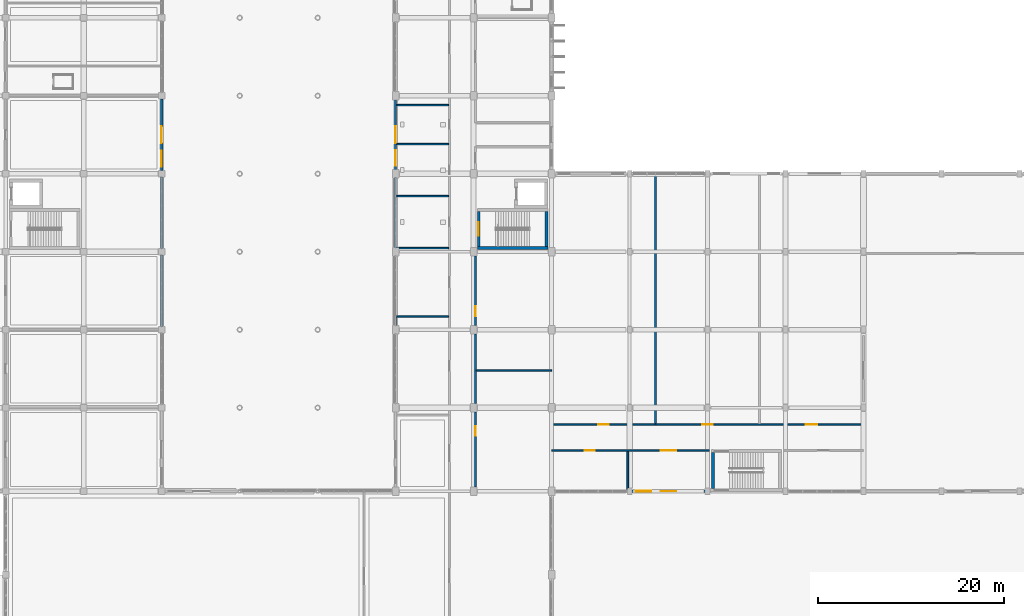
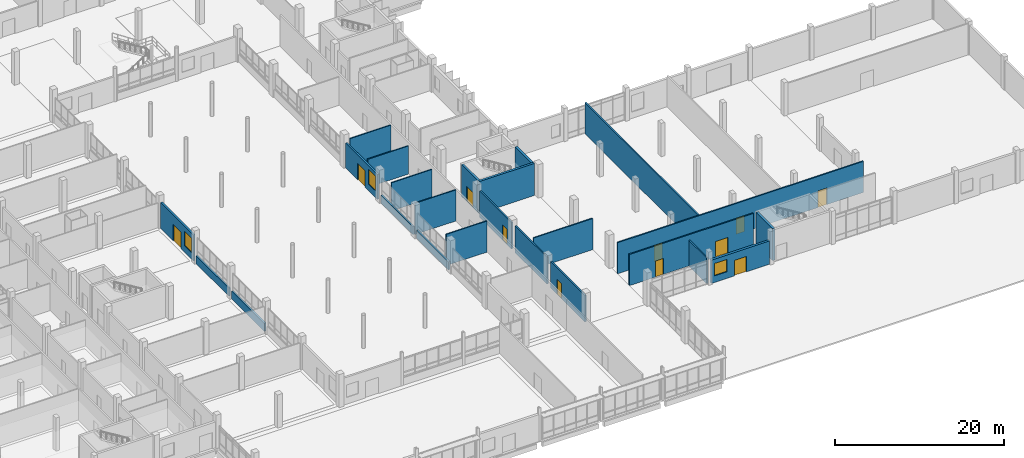
# One storey, part 77 of 95: 24 walls, 11 doors, 3 windows, 14 openings.
"""IFC4 building model written with IfcOpenShell, lengths in metres."""

from ifc_helpers import new_model, si_unit, direction, frame, frame_2d, origin, place, context, subcontext, project, spatial, rectangle, extrude, material, layer, layer_set, type_object, element, fill, save


model = new_model("IFC4")

# Units and contexts
model_context = context("Model", 3, precision=1e-05, world=origin(), true_north=direction((0.0, 1.0)))
body_context = subcontext(model_context, "Body", "Model", "MODEL_VIEW")
ifc_project = project(units=[si_unit("LENGTHUNIT", "METRE"), si_unit("AREAUNIT", "SQUARE_METRE"), si_unit("VOLUMEUNIT", "CUBIC_METRE"), si_unit("PLANEANGLEUNIT", "RADIAN"), si_unit("MASSUNIT", "GRAM", prefix="KILO")], contexts=[model_context])

# Site, building, storey
site_placement = place(None, origin())
site = spatial("IfcSite", under=ifc_project, at=site_placement, CompositionType="ELEMENT")
building_placement = place(site_placement, origin())
building = spatial("IfcBuilding", under=site, at=building_placement, Name="Vireocrest Preparatory School", CompositionType="ELEMENT")
storey_placement = place(building_placement, origin())
storey = spatial("IfcBuildingStorey", under=building, at=storey_placement, Name="L00", CompositionType="ELEMENT", Elevation=0.0)

# Wall, opening, door
ifc_material_1 = material(Name="Gypsum board on cold-formed steel studs", Category="steel")
ifc_layer_1 = layer(ifc_material_1, 0.199951171875)
ifc_layer_set_1 = layer_set([ifc_layer_1], Name="Gypsum board on cold-formed steel studs")
wall_type_1 = type_object("IfcWallType", Name="Corridor One-Hour Fire Partition 200", PredefinedType="PARTITIONING", material=ifc_layer_set_1)
wall_1_placement = place(storey_placement, frame((101.0, 18.4599609375, 0.0), z_axis=(0.0, 0.0, 1.0), x_axis=(0.0, 1.0, 0.0)))
wall_1 = element("IfcWall", 1, at=wall_1_placement, inside=storey, type_object=wall_type_1, Name="Interior Partition W06 IW_L00_0099", PredefinedType="PARTITIONING", context=body_context, shape_type="SweptSolid", body=[
    extrude(rectangle(XDim=8.080078125, YDim=0.199951171875, at=frame_2d((4.0400390625, 0.0))), origin(), (0.0, 0.0, 1.0), 3.840087890625),
])
opening_1_placement = place(wall_1_placement, frame((5.514892578125, 0.0, 0.0)))
opening_1 = element("IfcOpeningElement", 2, at=opening_1_placement, cuts=wall_1, Name="Opening D-L00-ELE01", PredefinedType="OPENING", context=body_context, shape_type="SweptSolid", body=[
    extrude(rectangle(XDim=1.050048828125, YDim=2.199951171875, at=frame_2d((0.52490234375, 1.10009765625))), frame((0.0, 0.10986328125, 0.0), z_axis=(0.0, -1.0, 0.0), x_axis=(1.0, 0.0, 0.0)), (0.0, 0.0, 1.0), 0.219970703125),
])
ifc_material_2 = material(Name="Painted galvanized hollow steel", Category="steel")
door_type_1 = type_object("IfcDoorType", Name="Laboratory Fire Door 1050x2200", OperationType="NOTDEFINED", PredefinedType="DOOR", material=ifc_material_2)
door_1_placement = place(opening_1_placement, origin())
door_1 = element("IfcDoor", 3, at=door_1_placement, inside=storey, type_object=door_type_1, Name="Interior Door D-L00-ELE01", OperationType="SINGLE_SWING_LEFT", OverallHeight=2.199951171875, OverallWidth=1.050048828125, PredefinedType="DOOR", context=body_context, shape_type="SweptSolid", body=[
    extrude(rectangle(XDim=1.050048828125, YDim=2.199951171875, at=frame_2d((0.52490234375, 1.10009765625))), frame((0.0, 0.02490234375, 0.0), z_axis=(0.0, -1.0, 0.0), x_axis=(1.0, 0.0, 0.0)), (0.0, 0.0, 1.0), 0.050048828125),
])
fill(opening_1, door_1)

# Wall
wall_2_placement = place(storey_placement, frame((101.0, 27.4599609375, 0.0), z_axis=(0.0, 0.0, 1.0), x_axis=(0.0, 1.0, 0.0)))
element("IfcWall", 4, at=wall_2_placement, inside=storey, type_object=wall_type_1, Name="Interior Partition W06 IW_L00_0100", PredefinedType="PARTITIONING", context=body_context, shape_type="SweptSolid", body=[
    extrude(rectangle(XDim=7.47998046875, YDim=0.199951171875, at=frame_2d((3.739990234375, 0.0))), origin(), (0.0, 0.0, 1.0), 3.889892578125),
])

# Wall, opening, door
wall_3_placement = place(storey_placement, frame((101.0, 35.860107421875, 0.0), z_axis=(0.0, 0.0, 1.0), x_axis=(0.0, 1.0, 0.0)))
wall_3 = element("IfcWall", 5, at=wall_3_placement, inside=storey, type_object=wall_type_1, Name="Interior Partition W06 IW_L00_0101", PredefinedType="PARTITIONING", context=body_context, shape_type="SweptSolid", body=[
    extrude(rectangle(XDim=7.47998046875, YDim=0.199951171875, at=frame_2d((3.739990234375, 0.0))), origin(), (0.0, 0.0, 1.0), 3.840087890625),
])
opening_2_placement = place(wall_3_placement, frame((1.014892578125, 0.0, 0.0)))
opening_2 = element("IfcOpeningElement", 6, at=opening_2_placement, cuts=wall_3, Name="Opening D-L00-ELE02", PredefinedType="OPENING", context=body_context, shape_type="SweptSolid", body=[
    extrude(rectangle(XDim=1.050048828125, YDim=2.199951171875, at=frame_2d((0.52490234375, 1.10009765625))), frame((0.0, 0.10986328125, 0.0), z_axis=(0.0, -1.0, 0.0), x_axis=(1.0, 0.0, 0.0)), (0.0, 0.0, 1.0), 0.219970703125),
])
door_2_placement = place(opening_2_placement, origin())
door_2 = element("IfcDoor", 7, at=door_2_placement, inside=storey, type_object=door_type_1, Name="Interior Door D-L00-ELE02", OperationType="SINGLE_SWING_RIGHT", OverallHeight=2.199951171875, OverallWidth=1.050048828125, PredefinedType="DOOR", context=body_context, shape_type="SweptSolid", body=[
    extrude(rectangle(XDim=1.050048828125, YDim=2.199951171875, at=frame_2d((0.52490234375, 1.10009765625))), frame((0.0, 0.02490234375, 0.0), z_axis=(0.0, -1.0, 0.0), x_axis=(1.0, 0.0, 0.0)), (0.0, 0.0, 1.0), 0.050048828125),
])
fill(opening_2, door_2)

# Wall, openings, window, door
ifc_material_3 = material(Name="Precast white concrete 40 MPa", Category="concrete")
ifc_layer_2 = layer(ifc_material_3, 0.320068359375)
ifc_layer_set_2 = layer_set([ifc_layer_2], Name="Precast white concrete 40 MPa")
wall_type_2 = type_object("IfcWallType", Name="High-Tech Insulated Rainscreen External Wall 320", PredefinedType="SOLIDWALL", material=ifc_layer_set_2)
wall_4_placement = place(storey_placement, frame((117.824951171875, 18.0, 0.0), z_axis=(0.0, 0.0, 1.0), x_axis=(1.0, 0.0, 0.0)))
wall_4 = element("IfcWall", 8, at=wall_4_placement, inside=storey, type_object=wall_type_2, Name="External Wall W12 EW_L00_0049", PredefinedType="SOLIDWALL", context=body_context, shape_type="SweptSolid", body=[
    extrude(rectangle(XDim=7.949951171875, YDim=0.320068359375, at=frame_2d((3.97509765625, 0.0))), origin(), (0.0, 0.0, 1.0), 3.3701171875),
])
opening_3_placement = place(wall_4_placement, frame((4.7998046875, 0.0, 0.0), z_axis=(0.0, 0.0, 1.0), x_axis=(-1.0, 0.0, 0.0)))
opening_3 = element("IfcOpeningElement", 9, at=opening_3_placement, cuts=wall_4, Name="Opening ED6", PredefinedType="OPENING", context=body_context, shape_type="SweptSolid", body=[
    extrude(rectangle(XDim=1.64990234375, YDim=2.25, at=frame_2d((0.824951171875, 1.125))), frame((0.0, 0.169921875, 0.0), z_axis=(0.0, -1.0, 0.0), x_axis=(1.0, 0.0, 0.0)), (0.0, 0.0, 1.0), 0.340087890625),
])
opening_4_placement = place(wall_4_placement, frame((0.449951171875, 0.0, 0.949951171875)))
opening_4 = element("IfcOpeningElement", 10, at=opening_4_placement, cuts=wall_4, Name="Opening WN05", PredefinedType="OPENING", context=body_context, shape_type="SweptSolid", body=[
    extrude(rectangle(XDim=1.679931640625, YDim=1.800048828125, at=frame_2d((0.83984375, 0.89990234375))), frame((0.0, 0.169921875, 0.0), z_axis=(0.0, -1.0, 0.0), x_axis=(1.0, 0.0, 0.0)), (0.0, 0.0, 1.0), 0.340087890625),
])
ifc_material_4 = material(Name="Thermally broken aluminium EN AW-6063-T6", Category="aluminium")
window_type_1 = type_object("IfcWindowType", Name="Module Classroom Window 1680x1800", PartitioningType="SINGLE_PANEL", PredefinedType="WINDOW", material=ifc_material_4)
window_1_placement = place(opening_4_placement, origin())
window_1 = element("IfcWindow", 11, at=window_1_placement, inside=storey, type_object=window_type_1, Name="Window W-L00-001 (WN05)", OverallHeight=1.800048828125, OverallWidth=1.679931640625, PartitioningType="SINGLE_PANEL", PredefinedType="WINDOW", context=body_context, shape_type="SweptSolid", body=[
    extrude(rectangle(XDim=1.679931640625, YDim=1.800048828125, at=frame_2d((0.83984375, 0.89990234375))), frame((0.0, 0.030029296875, 0.0), z_axis=(0.0, -1.0, 0.0), x_axis=(1.0, 0.0, 0.0)), (0.0, 0.0, 1.0), 0.06005859375),
])
fill(opening_4, window_1)
door_type_2 = type_object("IfcDoorType", Name="Stair Discharge Exterior Fire Exit Door 1650x2250", OperationType="DOUBLE_DOOR_SINGLE_SWING", PredefinedType="DOOR", material=ifc_material_2)
door_3_placement = place(opening_3_placement, origin())
door_3 = element("IfcDoor", 12, at=door_3_placement, inside=storey, type_object=door_type_2, Name="Final Exit ED6 Performing Arts South", OperationType="DOUBLE_DOOR_SINGLE_SWING", OverallHeight=2.25, OverallWidth=1.64990234375, PredefinedType="DOOR", context=body_context, shape_type="SweptSolid", body=[
    extrude(rectangle(XDim=1.64990234375, YDim=2.25, at=frame_2d((0.824951171875, 1.125))), frame((0.0, 0.02490234375, 0.0), z_axis=(0.0, -1.0, 0.0), x_axis=(1.0, 0.0, 0.0)), (0.0, 0.0, 1.0), 0.050048828125),
])
fill(opening_3, door_3)

# Walls
ifc_layer_3 = layer(ifc_material_1, 0.159912109375)
ifc_layer_set_3 = layer_set([ifc_layer_3], Name="Gypsum board on cold-formed steel studs")
wall_type_3 = type_object("IfcWallType", Name="Laboratory Wet-Service Partition Wall 160", PredefinedType="PARTITIONING", material=ifc_layer_set_3)
for number, where, z_axis, x_axis, name in (
    (13, (92.52490234375, 36.800048828125, 0.0), (0.0, 0.0, 1.0), (1.0, 0.0, 0.0), "Interior Partition W04 IW_L00_0091"),
    (14, (92.52490234375, 44.199951171875, 0.0), (0.0, 0.0, 1.0), (1.0, 0.0, 0.0), "Interior Partition W04 IW_L00_0092"),
):
    element("IfcWall", number, at=place(storey_placement, frame(where, z_axis=z_axis, x_axis=x_axis)), inside=storey, type_object=wall_type_3, Name=name, PredefinedType="PARTITIONING", context=body_context, shape_type="SweptSolid", body=[
        extrude(rectangle(XDim=5.570068359375, YDim=0.159912109375, at=frame_2d((2.78515625, 0.0))), origin(), (0.0, 0.0, 1.0), 4.5),
    ])
for number, where, z_axis, x_axis, name in (
    (15, (92.52490234375, 49.800048828125, 0.0), (0.0, 0.0, 1.0), (1.0, 0.0, 0.0), "Interior Partition W04 IW_L00_0093"),
    (16, (92.52490234375, 55.39990234375, 0.0), (0.0, 0.0, 1.0), (1.0, 0.0, 0.0), "Interior Partition W04 IW_L00_0094"),
):
    element("IfcWall", number, at=place(storey_placement, frame(where, z_axis=z_axis, x_axis=x_axis)), inside=storey, type_object=wall_type_3, Name=name, PredefinedType="PARTITIONING", context=body_context, shape_type="SweptSolid", body=[
        extrude(rectangle(XDim=5.570068359375, YDim=0.159912109375, at=frame_2d((2.78515625, 0.0))), origin(), (0.0, 0.0, 1.0), 4.06005859375),
    ])
wall_5_placement = place(storey_placement, frame((92.52490234375, 59.60009765625, 0.0), z_axis=(0.0, 0.0, 1.0), x_axis=(1.0, 0.0, 0.0)))
element("IfcWall", 17, at=wall_5_placement, inside=storey, type_object=wall_type_3, Name="Interior Partition W04 IW_L00_0095", PredefinedType="PARTITIONING", context=body_context, shape_type="SweptSolid", body=[
    extrude(rectangle(XDim=5.570068359375, YDim=0.159912109375, at=frame_2d((2.78515625, 0.0))), origin(), (0.0, 0.0, 1.0), 4.5),
])
wall_6_placement = place(storey_placement, frame((101.10498046875, 31.0, 0.0), z_axis=(0.0, 0.0, 1.0), x_axis=(1.0, 0.0, 0.0)))
element("IfcWall", 18, at=wall_6_placement, inside=storey, type_object=wall_type_3, Name="Interior Partition W04 IW_L00_0098", PredefinedType="PARTITIONING", context=body_context, shape_type="SweptSolid", body=[
    extrude(rectangle(XDim=8.0849609375, YDim=0.159912109375, at=frame_2d((4.04248046875, 0.0))), origin(), (0.0, 0.0, 1.0), 4.5),
])
ifc_layer_4 = layer(ifc_material_1, 0.179931640625)
ifc_layer_set_4 = layer_set([ifc_layer_4], Name="Gypsum board on cold-formed steel studs")
wall_type_4 = type_object("IfcWallType", Name="Music and Drama Double-Stud Partition 180", PredefinedType="PARTITIONING", material=ifc_layer_set_4)
wall_7_placement = place(storey_placement, frame((120.39990234375, 25.294921875, 0.0), z_axis=(0.0, 0.0, 1.0), x_axis=(0.0, 1.0, 0.0)))
element("IfcWall", 19, at=wall_7_placement, inside=storey, type_object=wall_type_4, Name="Interior Partition W05 IW_L00_0112", PredefinedType="PARTITIONING", context=body_context, shape_type="SweptSolid", body=[
    extrude(rectangle(XDim=26.800048828125, YDim=0.179931640625, at=frame_2d((13.39990234375, 0.0))), origin(), (0.0, 0.0, 1.0), 4.5),
])

# Wall, openings, doors
wall_8_placement = place(storey_placement, frame((109.2099609375, 25.199951171875, 0.0), z_axis=(0.0, 0.0, 1.0), x_axis=(1.0, 0.0, 0.0)))
wall_8 = element("IfcWall", 20, at=wall_8_placement, inside=storey, type_object=wall_type_4, Name="Interior Partition W05 IW_L00_0114", PredefinedType="PARTITIONING", context=body_context, shape_type="SweptSolid", body=[
    extrude(rectangle(XDim=33.580078125, YDim=0.179931640625, at=frame_2d((16.7900390625, 0.0))), origin(), (0.0, 0.0, 1.0), 4.5),
])
opening_5_placement = place(wall_8_placement, frame((5.0400390625, 0.0, 0.0)))
opening_5 = element("IfcOpeningElement", 21, at=opening_5_placement, cuts=wall_8, Name="Opening D-L00-PAN01", PredefinedType="OPENING", context=body_context, shape_type="SweptSolid", body=[
    extrude(rectangle(XDim=1.10009765625, YDim=2.300048828125, at=frame_2d((0.550048828125, 1.14990234375))), frame((0.0, 0.099853515625, 0.0), z_axis=(0.0, -1.0, 0.0), x_axis=(1.0, 0.0, 0.0)), (0.0, 0.0, 1.0), 0.199951171875),
])
opening_6_placement = place(wall_8_placement, frame((16.239990234375, 0.0, 0.0)))
opening_6 = element("IfcOpeningElement", 22, at=opening_6_placement, cuts=wall_8, Name="Opening D-L00-PAN02", PredefinedType="OPENING", context=body_context, shape_type="SweptSolid", body=[
    extrude(rectangle(XDim=1.10009765625, YDim=2.300048828125, at=frame_2d((0.550048828125, 1.14990234375))), frame((0.0, 0.099853515625, 0.0), z_axis=(0.0, -1.0, 0.0), x_axis=(1.0, 0.0, 0.0)), (0.0, 0.0, 1.0), 0.199951171875),
])
opening_7_placement = place(wall_8_placement, frame((27.389892578125, 0.0, 0.0)))
opening_7 = element("IfcOpeningElement", 23, at=opening_7_placement, cuts=wall_8, Name="Opening D-L00-PAN03", PredefinedType="OPENING", context=body_context, shape_type="SweptSolid", body=[
    extrude(rectangle(XDim=1.199951171875, YDim=2.39990234375, at=frame_2d((0.60009765625, 1.199951171875))), frame((0.0, 0.099853515625, 0.0), z_axis=(0.0, -1.0, 0.0), x_axis=(1.0, 0.0, 0.0)), (0.0, 0.0, 1.0), 0.199951171875),
])
door_type_3 = type_object("IfcDoorType", Name="Music Studio Acoustic Door 1100x2300", OperationType="NOTDEFINED", PredefinedType="DOOR", material=ifc_material_2)
door_4_placement = place(opening_5_placement, origin())
door_4 = element("IfcDoor", 24, at=door_4_placement, inside=storey, type_object=door_type_3, Name="Interior Door D-L00-PAN01", OperationType="SINGLE_SWING_LEFT", OverallHeight=2.300048828125, OverallWidth=1.10009765625, PredefinedType="DOOR", context=body_context, shape_type="SweptSolid", body=[
    extrude(rectangle(XDim=1.10009765625, YDim=2.300048828125, at=frame_2d((0.550048828125, 1.14990234375))), frame((0.0, 0.02490234375, 0.0), z_axis=(0.0, -1.0, 0.0), x_axis=(1.0, 0.0, 0.0)), (0.0, 0.0, 1.0), 0.050048828125),
])
fill(opening_5, door_4)
door_5_placement = place(opening_6_placement, origin())
door_5 = element("IfcDoor", 25, at=door_5_placement, inside=storey, type_object=door_type_3, Name="Interior Door D-L00-PAN02", OperationType="SINGLE_SWING_RIGHT", OverallHeight=2.300048828125, OverallWidth=1.10009765625, PredefinedType="DOOR", context=body_context, shape_type="SweptSolid", body=[
    extrude(rectangle(XDim=1.10009765625, YDim=2.300048828125, at=frame_2d((0.550048828125, 1.14990234375))), frame((0.0, 0.02490234375, 0.0), z_axis=(0.0, -1.0, 0.0), x_axis=(1.0, 0.0, 0.0)), (0.0, 0.0, 1.0), 0.050048828125),
])
fill(opening_6, door_5)
door_type_4 = type_object("IfcDoorType", Name="Plant Room Steel Door 1200x2400", OperationType="NOTDEFINED", PredefinedType="DOOR", material=ifc_material_2)
door_6_placement = place(opening_7_placement, origin())
door_6 = element("IfcDoor", 26, at=door_6_placement, inside=storey, type_object=door_type_4, Name="Interior Door D-L00-PAN03", OperationType="SINGLE_SWING_LEFT", OverallHeight=2.39990234375, OverallWidth=1.199951171875, PredefinedType="DOOR", context=body_context, shape_type="SweptSolid", body=[
    extrude(rectangle(XDim=1.199951171875, YDim=2.39990234375, at=frame_2d((0.60009765625, 1.199951171875))), frame((0.0, 0.02490234375, 0.0), z_axis=(0.0, -1.0, 0.0), x_axis=(1.0, 0.0, 0.0)), (0.0, 0.0, 1.0), 0.050048828125),
])
fill(opening_7, door_6)

# Wall
wall_9_placement = place(storey_placement, frame((117.39990234375, 18.10498046875, 0.0), z_axis=(0.0, 0.0, 1.0), x_axis=(0.0, 1.0, 0.0)))
element("IfcWall", 27, at=wall_9_placement, inside=storey, type_object=wall_type_4, Name="Interior Partition W05 IW_L00_0115", PredefinedType="PARTITIONING", context=body_context, shape_type="SweptSolid", body=[
    extrude(rectangle(XDim=4.199951171875, YDim=0.179931640625, at=frame_2d((2.10009765625, 0.0))), origin(), (0.0, 0.0, 1.0), 3.719970703125),
])

# Wall, openings, doors
wall_10_placement = place(storey_placement, frame((109.2099609375, 22.39990234375, 0.0), z_axis=(0.0, 0.0, 1.0), x_axis=(1.0, 0.0, 0.0)))
wall_10 = element("IfcWall", 28, at=wall_10_placement, inside=storey, type_object=wall_type_4, Name="Interior Partition W05 IW_L00_0116", PredefinedType="PARTITIONING", context=body_context, shape_type="SweptSolid", body=[
    extrude(rectangle(XDim=16.97998046875, YDim=0.179931640625, at=frame_2d((8.489990234375, 0.0))), origin(), (0.0, 0.0, 1.0), 4.5),
])
opening_8_placement = place(wall_10_placement, frame((3.5400390625, 0.0, 0.0)))
opening_8 = element("IfcOpeningElement", 29, at=opening_8_placement, cuts=wall_10, Name="Opening D-L00-PAS01", PredefinedType="OPENING", context=body_context, shape_type="SweptSolid", body=[
    extrude(rectangle(XDim=1.10009765625, YDim=2.300048828125, at=frame_2d((0.550048828125, 1.14990234375))), frame((0.0, 0.099853515625, 0.0), z_axis=(0.0, -1.0, 0.0), x_axis=(1.0, 0.0, 0.0)), (0.0, 0.0, 1.0), 0.199951171875),
])
opening_9_placement = place(wall_10_placement, frame((11.739990234375, 0.0, 0.0)))
opening_9 = element("IfcOpeningElement", 30, at=opening_9_placement, cuts=wall_10, Name="Opening D-L00-PAS02", PredefinedType="OPENING", context=body_context, shape_type="SweptSolid", body=[
    extrude(rectangle(XDim=1.699951171875, YDim=2.25, at=frame_2d((0.85009765625, 1.125))), frame((0.0, 0.099853515625, 0.0), z_axis=(0.0, -1.0, 0.0), x_axis=(1.0, 0.0, 0.0)), (0.0, 0.0, 1.0), 0.199951171875),
])
door_type_5 = type_object("IfcDoorType", Name="Corridor Cross-Fire Double Door 1700x2250", OperationType="DOUBLE_DOOR_SINGLE_SWING", PredefinedType="DOOR", material=ifc_material_2)
door_7_placement = place(opening_9_placement, origin())
door_7 = element("IfcDoor", 31, at=door_7_placement, inside=storey, type_object=door_type_5, Name="Interior Door D-L00-PAS02", OperationType="DOUBLE_DOOR_SINGLE_SWING", OverallHeight=2.25, OverallWidth=1.699951171875, PredefinedType="DOOR", context=body_context, shape_type="SweptSolid", body=[
    extrude(rectangle(XDim=1.699951171875, YDim=2.25, at=frame_2d((0.85009765625, 1.125))), frame((0.0, 0.02490234375, 0.0), z_axis=(0.0, -1.0, 0.0), x_axis=(1.0, 0.0, 0.0)), (0.0, 0.0, 1.0), 0.050048828125),
])
fill(opening_9, door_7)
door_8_placement = place(opening_8_placement, origin())
door_8 = element("IfcDoor", 32, at=door_8_placement, inside=storey, type_object=door_type_3, Name="Interior Door D-L00-PAS01", OperationType="SINGLE_SWING_RIGHT", OverallHeight=2.300048828125, OverallWidth=1.10009765625, PredefinedType="DOOR", context=body_context, shape_type="SweptSolid", body=[
    extrude(rectangle(XDim=1.10009765625, YDim=2.300048828125, at=frame_2d((0.550048828125, 1.14990234375))), frame((0.0, 0.02490234375, 0.0), z_axis=(0.0, -1.0, 0.0), x_axis=(1.0, 0.0, 0.0)), (0.0, 0.0, 1.0), 0.050048828125),
])
fill(opening_8, door_8)

# Wall
ifc_material_5 = material(Name="Concrete 45 MPa", Category="concrete")
ifc_layer_5 = layer(ifc_material_5, 0.300048828125)
ifc_layer_set_5 = layer_set([ifc_layer_5], Name="Concrete 45 MPa")
wall_type_5 = type_object("IfcWallType", Name="Two-Hour RC Stair Shaft Shear Wall 300", PredefinedType="SHEAR", material=ifc_layer_set_5)
wall_11_placement = place(storey_placement, frame((101.199951171875, 44.199951171875, 0.0), z_axis=(0.0, 0.0, 1.0), x_axis=(1.0, 0.0, 0.0)))
element("IfcWall", 33, at=wall_11_placement, inside=storey, type_object=wall_type_5, Name="Stair Core Shear Wall ST2 L00-S", PredefinedType="SHEAR", context=body_context, shape_type="SweptSolid", body=[
    extrude(rectangle(XDim=7.60009765625, YDim=0.300048828125, at=frame_2d((3.800048828125, 0.0))), origin(), (0.0, 0.0, 1.0), 4.625),
])

# Wall, opening, door
wall_12_placement = place(storey_placement, frame((101.35009765625, 44.35009765625, 0.0), z_axis=(0.0, 0.0, 1.0), x_axis=(0.0, 1.0, 0.0)))
wall_12 = element("IfcWall", 34, at=wall_12_placement, inside=storey, type_object=wall_type_5, Name="Stair Core Shear Wall ST2 L00-W", PredefinedType="SHEAR", context=body_context, shape_type="SweptSolid", body=[
    extrude(rectangle(XDim=3.7998046875, YDim=0.300048828125, at=frame_2d((1.89990234375, 0.0))), origin(), (0.0, 0.0, 1.0), 4.625),
])
opening_10_placement = place(wall_12_placement, frame((1.14990234375, 0.0, 0.0)))
opening_10 = element("IfcOpeningElement", 35, at=opening_10_placement, cuts=wall_12, Name="Opening SD-ST2-L00", PredefinedType="OPENING", context=body_context, shape_type="SweptSolid", body=[
    extrude(rectangle(XDim=1.5, YDim=2.199951171875, at=frame_2d((0.75, 1.10009765625))), frame((0.0, 0.159912109375, 0.0), z_axis=(0.0, -1.0, 0.0), x_axis=(1.0, 0.0, 0.0)), (0.0, 0.0, 1.0), 0.320068359375),
])
door_type_6 = type_object("IfcDoorType", Name="Stair Enclosure Fire Door 1500x2200", OperationType="DOUBLE_DOOR_SINGLE_SWING", PredefinedType="DOOR", material=ifc_material_2)
door_9_placement = place(opening_10_placement, origin())
door_9 = element("IfcDoor", 36, at=door_9_placement, inside=storey, type_object=door_type_6, Name="Stair Enclosure Fire Door SD-ST2-L00", OperationType="DOUBLE_DOOR_SINGLE_SWING", OverallHeight=2.199951171875, OverallWidth=1.5, PredefinedType="DOOR", context=body_context, shape_type="SweptSolid", body=[
    extrude(rectangle(XDim=1.5, YDim=2.199951171875, at=frame_2d((0.75, 1.10009765625))), frame((0.0, 0.02490234375, 0.0), z_axis=(0.0, -1.0, 0.0), x_axis=(1.0, 0.0, 0.0)), (0.0, 0.0, 1.0), 0.050048828125),
])
fill(opening_10, door_9)

# Walls
wall_13_placement = place(storey_placement, frame((108.64990234375, 44.35009765625, 0.0), z_axis=(0.0, 0.0, 1.0), x_axis=(0.0, 1.0, 0.0)))
element("IfcWall", 37, at=wall_13_placement, inside=storey, type_object=wall_type_5, Name="Stair Core Shear Wall ST2 L00-E", PredefinedType="SHEAR", context=body_context, shape_type="SweptSolid", body=[
    extrude(rectangle(XDim=3.7998046875, YDim=0.300048828125, at=frame_2d((1.89990234375, 0.0))), origin(), (0.0, 0.0, 1.0), 4.625),
])
wall_14_placement = place(storey_placement, frame((126.60009765625, 18.300048828125, 0.0), z_axis=(0.0, 0.0, 1.0), x_axis=(0.0, 1.0, 0.0)))
element("IfcWall", 38, at=wall_14_placement, inside=storey, type_object=wall_type_5, Name="Stair Core Shear Wall ST6 L00-W", PredefinedType="SHEAR", context=body_context, shape_type="SweptSolid", body=[
    extrude(rectangle(XDim=3.89990234375, YDim=0.300048828125, at=frame_2d((1.949951171875, 0.0))), origin(), (0.0, 0.0, 1.0), 4.625),
])
ifc_layer_6 = layer(ifc_material_3, 0.239990234375)
ifc_layer_set_6 = layer_set([ifc_layer_6], Name="Precast white concrete 40 MPa")
wall_type_6 = type_object("IfcWallType", Name="White Precast Courtyard Spandrel Wall 240", PredefinedType="SOLIDWALL", material=ifc_layer_set_6)
for number, where, z_axis, x_axis, name in (
    (39, (67.199951171875, 35.72509765625, 0.0), (0.0, 0.0, 1.0), (0.0, 1.0, 0.0), "External Wall W08 EW_L00_0115"),
    (40, (67.199951171875, 44.125, 0.0), (0.0, 0.0, 1.0), (0.0, 1.0, 0.0), "External Wall W08 EW_L00_0116"),
):
    element("IfcWall", number, at=place(storey_placement, frame(where, z_axis=z_axis, x_axis=x_axis)), inside=storey, type_object=wall_type_6, Name=name, PredefinedType="SOLIDWALL", context=body_context, shape_type="SweptSolid", body=[
        extrude(rectangle(XDim=7.75, YDim=0.239990234375, at=frame_2d((3.875, 0.0))), origin(), (0.0, 0.0, 1.0), 1.14990234375),
    ])

# Wall, openings, door, window
wall_15_placement = place(storey_placement, frame((67.199951171875, 52.52490234375, 0.0), z_axis=(0.0, 0.0, 1.0), x_axis=(0.0, 1.0, 0.0)))
wall_15 = element("IfcWall", 41, at=wall_15_placement, inside=storey, type_object=wall_type_6, Name="External Wall W08 EW_L00_0117", PredefinedType="SOLIDWALL", context=body_context, shape_type="SweptSolid", body=[
    extrude(rectangle(XDim=7.75, YDim=0.239990234375, at=frame_2d((3.875, 0.0))), origin(), (0.0, 0.0, 1.0), 3.760009765625),
])
opening_11_placement = place(wall_15_placement, frame((4.775146484375, 0.0, 0.0), z_axis=(0.0, 0.0, 1.0), x_axis=(-1.0, 0.0, 0.0)))
opening_11 = element("IfcOpeningElement", 42, at=opening_11_placement, cuts=wall_15, Name="Opening EC2", PredefinedType="OPENING", context=body_context, shape_type="SweptSolid", body=[
    extrude(rectangle(XDim=1.800048828125, YDim=2.35009765625, at=frame_2d((0.89990234375, 1.175048828125))), frame((0.0, 0.1298828125, 0.0), z_axis=(0.0, -1.0, 0.0), x_axis=(1.0, 0.0, 0.0)), (0.0, 0.0, 1.0), 0.260009765625),
])
opening_12_placement = place(wall_15_placement, frame((0.449951171875, 0.0, 0.949951171875)))
opening_12 = element("IfcOpeningElement", 43, at=opening_12_placement, cuts=wall_15, Name="Opening WN06", PredefinedType="OPENING", context=body_context, shape_type="SweptSolid", body=[
    extrude(rectangle(XDim=1.679931640625, YDim=2.10009765625, at=frame_2d((0.83984375, 1.050048828125))), frame((0.0, 0.1298828125, 0.0), z_axis=(0.0, -1.0, 0.0), x_axis=(1.0, 0.0, 0.0)), (0.0, 0.0, 1.0), 0.260009765625),
])
ifc_material_6 = material(Name="Thermally broken glazed aluminium", Category="aluminium")
door_type_7 = type_object("IfcDoorType", Name="Campus Final Exit Double Door 1800x2350", OperationType="DOUBLE_DOOR_SINGLE_SWING", PredefinedType="DOOR", material=ifc_material_6)
door_10_placement = place(opening_11_placement, origin())
door_10 = element("IfcDoor", 44, at=door_10_placement, inside=storey, type_object=door_type_7, Name="Central Courtyard Exit EC2 West Bar", OperationType="DOUBLE_DOOR_SINGLE_SWING", OverallHeight=2.35009765625, OverallWidth=1.800048828125, PredefinedType="DOOR", context=body_context, shape_type="SweptSolid", body=[
    extrude(rectangle(XDim=1.800048828125, YDim=2.35009765625, at=frame_2d((0.89990234375, 1.175048828125))), frame((0.0, 0.02490234375, 0.0), z_axis=(0.0, -1.0, 0.0), x_axis=(1.0, 0.0, 0.0)), (0.0, 0.0, 1.0), 0.050048828125),
])
fill(opening_11, door_10)
window_type_2 = type_object("IfcWindowType", Name="Module Classroom Tall Window 1680x2100", PartitioningType="SINGLE_PANEL", PredefinedType="WINDOW", material=ifc_material_4)
window_2_placement = place(opening_12_placement, origin())
window_2 = element("IfcWindow", 45, at=window_2_placement, inside=storey, type_object=window_type_2, Name="Window W-L00-030 (WN06)", OverallHeight=2.10009765625, OverallWidth=1.679931640625, PartitioningType="SINGLE_PANEL", PredefinedType="WINDOW", context=body_context, shape_type="SweptSolid", body=[
    extrude(rectangle(XDim=1.679931640625, YDim=2.10009765625, at=frame_2d((0.83984375, 1.050048828125))), frame((0.0, 0.030029296875, 0.0), z_axis=(0.0, -1.0, 0.0), x_axis=(1.0, 0.0, 0.0)), (0.0, 0.0, 1.0), 0.06005859375),
])
fill(opening_12, window_2)

# Walls
wall_16_placement = place(storey_placement, frame((92.39990234375, 35.824951171875, 0.0), z_axis=(0.0, 0.0, 1.0), x_axis=(0.0, 1.0, 0.0)))
element("IfcWall", 46, at=wall_16_placement, inside=storey, type_object=wall_type_6, Name="External Wall W08 EW_L00_0126", PredefinedType="SOLIDWALL", context=body_context, shape_type="SweptSolid", body=[
    extrude(rectangle(XDim=7.550048828125, YDim=0.239990234375, at=frame_2d((3.77490234375, 0.0))), origin(), (0.0, 0.0, 1.0), 1.14990234375),
])
wall_17_placement = place(storey_placement, frame((92.39990234375, 44.22509765625, 0.0), z_axis=(0.0, 0.0, 1.0), x_axis=(0.0, 1.0, 0.0)))
element("IfcWall", 47, at=wall_17_placement, inside=storey, type_object=wall_type_6, Name="External Wall W08 EW_L00_0127", PredefinedType="SOLIDWALL", context=body_context, shape_type="SweptSolid", body=[
    extrude(rectangle(XDim=7.5498046875, YDim=0.239990234375, at=frame_2d((3.77490234375, 0.0))), origin(), (0.0, 0.0, 1.0), 1.14990234375),
])

# Wall, openings, door, window
wall_18_placement = place(storey_placement, frame((92.39990234375, 52.625, 0.0), z_axis=(0.0, 0.0, 1.0), x_axis=(0.0, 1.0, 0.0)))
wall_18 = element("IfcWall", 48, at=wall_18_placement, inside=storey, type_object=wall_type_6, Name="External Wall W08 EW_L00_0128", PredefinedType="SOLIDWALL", context=body_context, shape_type="SweptSolid", body=[
    extrude(rectangle(XDim=7.550048828125, YDim=0.239990234375, at=frame_2d((3.77490234375, 0.0))), origin(), (0.0, 0.0, 1.0), 3.590087890625),
])
opening_13_placement = place(wall_18_placement, frame((2.875, 0.0, 0.0)))
opening_13 = element("IfcOpeningElement", 49, at=opening_13_placement, cuts=wall_18, Name="Opening EC4", PredefinedType="OPENING", context=body_context, shape_type="SweptSolid", body=[
    extrude(rectangle(XDim=1.800048828125, YDim=2.35009765625, at=frame_2d((0.89990234375, 1.175048828125))), frame((0.0, 0.1298828125, 0.0), z_axis=(0.0, -1.0, 0.0), x_axis=(1.0, 0.0, 0.0)), (0.0, 0.0, 1.0), 0.260009765625),
])
opening_14_placement = place(wall_18_placement, frame((0.449951171875, 0.0, 0.949951171875)))
opening_14 = element("IfcOpeningElement", 50, at=opening_14_placement, cuts=wall_18, Name="Opening WN06", PredefinedType="OPENING", context=body_context, shape_type="SweptSolid", body=[
    extrude(rectangle(XDim=1.679931640625, YDim=2.10009765625, at=frame_2d((0.83984375, 1.050048828125))), frame((0.0, 0.1298828125, 0.0), z_axis=(0.0, -1.0, 0.0), x_axis=(1.0, 0.0, 0.0)), (0.0, 0.0, 1.0), 0.260009765625),
])
door_11_placement = place(opening_13_placement, origin())
door_11 = element("IfcDoor", 51, at=door_11_placement, inside=storey, type_object=door_type_7, Name="Central Courtyard Exit EC4 East Wing", OperationType="DOUBLE_DOOR_SINGLE_SWING", OverallHeight=2.35009765625, OverallWidth=1.800048828125, PredefinedType="DOOR", context=body_context, shape_type="SweptSolid", body=[
    extrude(rectangle(XDim=1.800048828125, YDim=2.35009765625, at=frame_2d((0.89990234375, 1.175048828125))), frame((0.0, 0.02490234375, 0.0), z_axis=(0.0, -1.0, 0.0), x_axis=(1.0, 0.0, 0.0)), (0.0, 0.0, 1.0), 0.050048828125),
])
fill(opening_13, door_11)
window_3_placement = place(opening_14_placement, origin())
window_3 = element("IfcWindow", 52, at=window_3_placement, inside=storey, type_object=window_type_2, Name="Window W-L00-034 (WN06)", OverallHeight=2.10009765625, OverallWidth=1.679931640625, PartitioningType="SINGLE_PANEL", PredefinedType="WINDOW", context=body_context, shape_type="SweptSolid", body=[
    extrude(rectangle(XDim=1.679931640625, YDim=2.10009765625, at=frame_2d((0.83984375, 1.050048828125))), frame((0.0, 0.030029296875, 0.0), z_axis=(0.0, -1.0, 0.0), x_axis=(1.0, 0.0, 0.0)), (0.0, 0.0, 1.0), 0.06005859375),
])
fill(opening_14, window_3)

save(model, "model.ifc")
